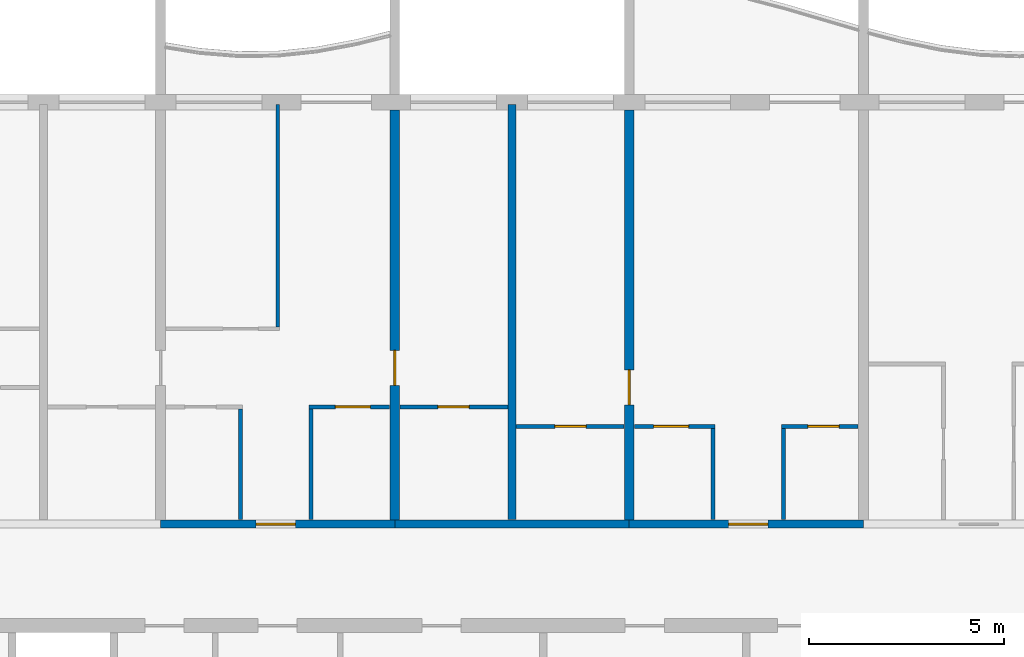
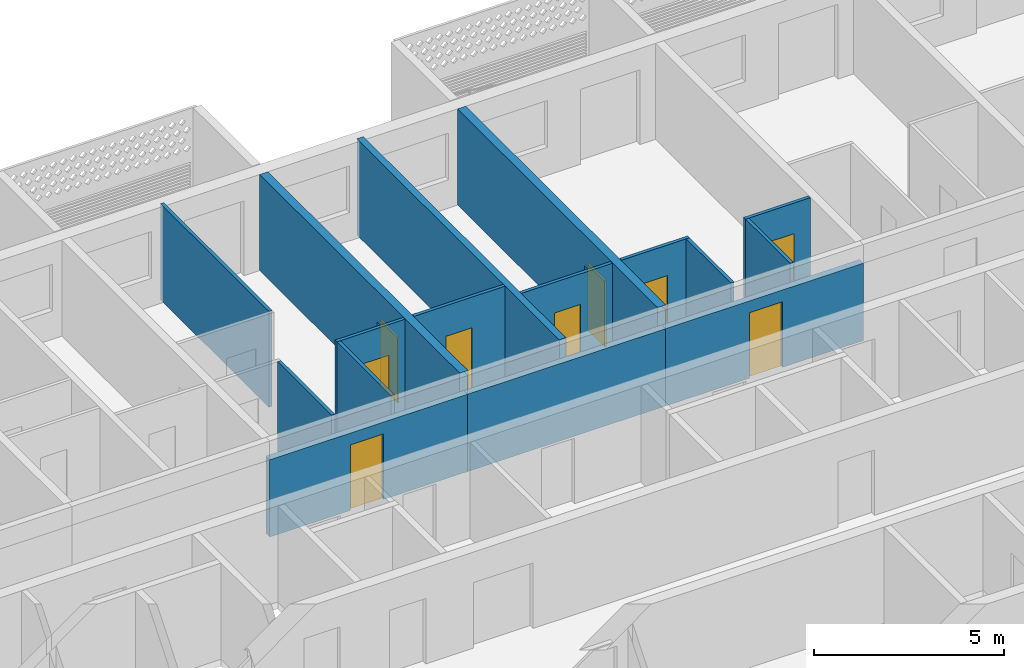
# One storey, part 9 of 26: 16 walls, 9 doors, 9 openings.
"""IFC4 building model written with IfcOpenShell, lengths in metres."""

from ifc_helpers import new_model, si_unit, direction, frame, frame_2d, origin, place, context, subcontext, project, spatial, rectangle, extrude, material, layer, layer_set, type_object, element, fill, save


model = new_model("IFC4")

# Units and contexts
model_context = context("Model", 3, precision=1e-05, world=origin(), true_north=direction((0.0, 1.0)))
body_context = subcontext(model_context, "Body", "Model", "MODEL_VIEW")
ifc_project = project(units=[si_unit("LENGTHUNIT", "METRE"), si_unit("AREAUNIT", "SQUARE_METRE"), si_unit("VOLUMEUNIT", "CUBIC_METRE"), si_unit("PLANEANGLEUNIT", "RADIAN"), si_unit("MASSUNIT", "GRAM", prefix="KILO")], contexts=[model_context])

# Site, building, storey
site_placement = place(None, origin())
site = spatial("IfcSite", under=ifc_project, at=site_placement, CompositionType="ELEMENT")
building_placement = place(site_placement, origin())
building = spatial("IfcBuilding", under=site, at=building_placement, Name="Poui Terraces", CompositionType="ELEMENT")
storey_placement = place(building_placement, frame((0.0, 0.0, 241.199951171875)))
storey = spatial("IfcBuildingStorey", under=building, at=storey_placement, Name="L67", CompositionType="ELEMENT", Elevation=241.199951171875)

# Wall, opening, door
ifc_material_1 = material(Name="Concrete 50 MPa", Category="concrete")
ifc_layer_1 = layer(ifc_material_1, 0.199951171875)
ifc_layer_set_1 = layer_set([ifc_layer_1], Name="Concrete 50 MPa")
wall_type_1 = type_object("IfcWallType", Name="CORRIDOR WALL 200 50MPa", PredefinedType="SHEAR", material=ifc_layer_set_1)
wall_1_placement = place(storey_placement, frame((48.0, 30.39990234375, 0.0), z_axis=(0.0, 0.0, 1.0), x_axis=(1.0, 0.0, 0.0)))
wall_1 = element("IfcWall", 1, at=wall_1_placement, inside=storey, type_object=wall_type_1, Name="CORRIDOR WALL LINE E BAY 6", PredefinedType="SHEAR", context=body_context, shape_type="SweptSolid", body=[
    extrude(rectangle(XDim=6.0, YDim=0.199951171875, at=frame_2d((3.0, 0.0))), origin(), (0.0, 0.0, 1.0), 2.47998046875),
])
opening_1_placement = place(wall_1_placement, frame((2.449951171875, 0.0, 0.0)))
opening_1 = element("IfcOpeningElement", 2, at=opening_1_placement, cuts=wall_1, Name="Opening FD30S", PredefinedType="OPENING", context=body_context, shape_type="SweptSolid", body=[
    extrude(rectangle(XDim=1.0, YDim=2.10009765625, at=frame_2d((0.5, 1.050048828125))), frame((0.0, 0.10986328125, 0.0), z_axis=(0.0, -1.0, 0.0), x_axis=(1.0, 0.0, 0.0)), (0.0, 0.0, 1.0), 0.219970703125),
])
ifc_material_2 = material(Name="Steel fire door", Category="steel")
door_type_1 = type_object("IfcDoorType", Name="FLAT ENTRANCE DOOR 1000 X 2100", OperationType="NOTDEFINED", PredefinedType="DOOR", material=ifc_material_2)
door_1_placement = place(opening_1_placement, origin())
door_1 = element("IfcDoor", 3, at=door_1_placement, inside=storey, type_object=door_type_1, Name="FLAT ENTRANCE DOOR 046", OperationType="SINGLE_SWING_LEFT", OverallHeight=2.10009765625, OverallWidth=1.0, PredefinedType="DOOR", context=body_context, shape_type="SweptSolid", body=[
    extrude(rectangle(XDim=1.0, YDim=2.10009765625, at=frame_2d((0.5, 1.050048828125))), frame((0.0, 0.02490234375, 0.0), z_axis=(0.0, -1.0, 0.0), x_axis=(1.0, 0.0, 0.0)), (0.0, 0.0, 1.0), 0.050048828125),
])
fill(opening_1, door_1)

# Wall
wall_2_placement = place(storey_placement, frame((54.0, 30.39990234375, 0.0), z_axis=(0.0, 0.0, 1.0), x_axis=(1.0, 0.0, 0.0)))
element("IfcWall", 4, at=wall_2_placement, inside=storey, type_object=wall_type_1, Name="CORRIDOR WALL LINE E BAY 7", PredefinedType="SHEAR", context=body_context, shape_type="SweptSolid", body=[
    extrude(rectangle(XDim=6.0, YDim=0.199951171875, at=frame_2d((3.0, 0.0))), origin(), (0.0, 0.0, 1.0), 2.47998046875),
])

# Wall, opening, door
wall_3_placement = place(storey_placement, frame((60.0, 30.39990234375, 0.0), z_axis=(0.0, 0.0, 1.0), x_axis=(1.0, 0.0, 0.0)))
wall_3 = element("IfcWall", 5, at=wall_3_placement, inside=storey, type_object=wall_type_1, Name="CORRIDOR WALL LINE E BAY 8", PredefinedType="SHEAR", context=body_context, shape_type="SweptSolid", body=[
    extrude(rectangle(XDim=6.0, YDim=0.199951171875, at=frame_2d((3.0, 0.0))), origin(), (0.0, 0.0, 1.0), 2.47998046875),
])
opening_2_placement = place(wall_3_placement, frame((2.550048828125, 0.0, 0.0)))
opening_2 = element("IfcOpeningElement", 6, at=opening_2_placement, cuts=wall_3, Name="Opening FD30S", PredefinedType="OPENING", context=body_context, shape_type="SweptSolid", body=[
    extrude(rectangle(XDim=1.0, YDim=2.10009765625, at=frame_2d((0.5, 1.050048828125))), frame((0.0, 0.10986328125, 0.0), z_axis=(0.0, -1.0, 0.0), x_axis=(1.0, 0.0, 0.0)), (0.0, 0.0, 1.0), 0.219970703125),
])
door_2_placement = place(opening_2_placement, origin())
door_2 = element("IfcDoor", 7, at=door_2_placement, inside=storey, type_object=door_type_1, Name="FLAT ENTRANCE DOOR 052", OperationType="SINGLE_SWING_RIGHT", OverallHeight=2.10009765625, OverallWidth=1.0, PredefinedType="DOOR", context=body_context, shape_type="SweptSolid", body=[
    extrude(rectangle(XDim=1.0, YDim=2.10009765625, at=frame_2d((0.5, 1.050048828125))), frame((0.0, 0.02490234375, 0.0), z_axis=(0.0, -1.0, 0.0), x_axis=(1.0, 0.0, 0.0)), (0.0, 0.0, 1.0), 0.050048828125),
])
fill(opening_2, door_2)

ifc_layer_2 = layer(ifc_material_1, 0.25)
ifc_layer_set_2 = layer_set([ifc_layer_2], Name="Concrete 50 MPa")
wall_type_2 = type_object("IfcWallType", Name="CROSS WALL 250 50MPa", PredefinedType="SHEAR", material=ifc_layer_set_2)
wall_4_placement = place(storey_placement, frame((54.0, 30.5, 0.0), z_axis=(0.0, 0.0, 1.0), x_axis=(0.0, 1.0, 0.0)))
wall_4 = element("IfcWall", 8, at=wall_4_placement, inside=storey, type_object=wall_type_2, Name="CROSS WALL LINE 10 NORTH", PredefinedType="SHEAR", context=body_context, shape_type="SweptSolid", body=[
    extrude(rectangle(XDim=10.5, YDim=0.25, at=frame_2d((5.25, 0.0))), origin(), (0.0, 0.0, 1.0), 3.080078125),
])
opening_3_placement = place(wall_4_placement, frame((3.449951171875, 0.0, 0.0)))
opening_3 = element("IfcOpeningElement", 9, at=opening_3_placement, cuts=wall_4, Name="Opening D90", PredefinedType="OPENING", context=body_context, shape_type="SweptSolid", body=[
    extrude(rectangle(XDim=0.89990234375, YDim=2.10009765625, at=frame_2d((0.449951171875, 1.050048828125))), frame((0.0, 0.135009765625, 0.0), z_axis=(0.0, -1.0, 0.0), x_axis=(1.0, 0.0, 0.0)), (0.0, 0.0, 1.0), 0.27001953125),
])
ifc_material_3 = material(Name="Solid core timber door", Category="wood")
door_type_2 = type_object("IfcDoorType", Name="INTERNAL DOOR 900 X 2100", OperationType="NOTDEFINED", PredefinedType="DOOR", material=ifc_material_3)
door_3_placement = place(opening_3_placement, frame((0.89990234375, 0.0, 0.0), z_axis=(0.0, 0.0, 1.0), x_axis=(-1.0, 0.0, 0.0)))
door_3 = element("IfcDoor", 10, at=door_3_placement, inside=storey, type_object=door_type_2, Name="INTERNAL DOOR 048", OperationType="SINGLE_SWING_RIGHT", OverallHeight=2.10009765625, OverallWidth=0.89990234375, PredefinedType="DOOR", context=body_context, shape_type="SweptSolid", body=[
    extrude(rectangle(XDim=0.89990234375, YDim=2.10009765625, at=frame_2d((0.449951171875, 1.050048828125))), frame((0.0, 0.02490234375, 0.0), z_axis=(0.0, -1.0, 0.0), x_axis=(1.0, 0.0, 0.0)), (0.0, 0.0, 1.0), 0.050048828125),
])
fill(opening_3, door_3)

wall_5_placement = place(storey_placement, frame((60.0, 30.5, 0.0), z_axis=(0.0, 0.0, 1.0), x_axis=(0.0, 1.0, 0.0)))
wall_5 = element("IfcWall", 11, at=wall_5_placement, inside=storey, type_object=wall_type_2, Name="CROSS WALL LINE 11 NORTH", PredefinedType="SHEAR", context=body_context, shape_type="SweptSolid", body=[
    extrude(rectangle(XDim=10.5, YDim=0.25, at=frame_2d((5.25, 0.0))), origin(), (0.0, 0.0, 1.0), 3.080078125),
])
opening_4_placement = place(wall_5_placement, frame((2.949951171875, 0.0, 0.0)))
opening_4 = element("IfcOpeningElement", 12, at=opening_4_placement, cuts=wall_5, Name="Opening D90", PredefinedType="OPENING", context=body_context, shape_type="SweptSolid", body=[
    extrude(rectangle(XDim=0.89990234375, YDim=2.10009765625, at=frame_2d((0.449951171875, 1.050048828125))), frame((0.0, 0.135009765625, 0.0), z_axis=(0.0, -1.0, 0.0), x_axis=(1.0, 0.0, 0.0)), (0.0, 0.0, 1.0), 0.27001953125),
])
door_4_placement = place(opening_4_placement, origin())
door_4 = element("IfcDoor", 13, at=door_4_placement, inside=storey, type_object=door_type_2, Name="INTERNAL DOOR 050", OperationType="SINGLE_SWING_LEFT", OverallHeight=2.10009765625, OverallWidth=0.89990234375, PredefinedType="DOOR", context=body_context, shape_type="SweptSolid", body=[
    extrude(rectangle(XDim=0.89990234375, YDim=2.10009765625, at=frame_2d((0.449951171875, 1.050048828125))), frame((0.0, 0.02490234375, 0.0), z_axis=(0.0, -1.0, 0.0), x_axis=(1.0, 0.0, 0.0)), (0.0, 0.0, 1.0), 0.050048828125),
])
fill(opening_4, door_4)

ifc_material_4 = material(Name="Plasterboard partition")
ifc_layer_3 = layer(ifc_material_4, 0.10009765625)
ifc_layer_set_3 = layer_set([ifc_layer_3], Name="Plasterboard partition")
wall_type_3 = type_object("IfcWallType", Name="FLAT PARTITION 100", PredefinedType="PARTITIONING", material=ifc_layer_set_3)
wall_6_placement = place(storey_placement, frame((57.10009765625, 32.89990234375, 0.0), z_axis=(0.0, 0.0, 1.0), x_axis=(1.0, 0.0, 0.0)))
wall_6 = element("IfcWall", 14, at=wall_6_placement, inside=storey, type_object=wall_type_3, Name="FLAT PARTITION 100", PredefinedType="PARTITIONING", context=body_context, shape_type="SweptSolid", body=[
    extrude(rectangle(XDim=2.764892578125, YDim=0.10009765625, at=frame_2d((1.38232421875, 0.0))), origin(), (0.0, 0.0, 1.0), 3.080078125),
])
opening_5_placement = place(wall_6_placement, frame((1.0, 0.0, 0.0)))
opening_5 = element("IfcOpeningElement", 15, at=opening_5_placement, cuts=wall_6, Name="Opening D80", PredefinedType="OPENING", context=body_context, shape_type="SweptSolid", body=[
    extrude(rectangle(XDim=0.800048828125, YDim=2.10009765625, at=frame_2d((0.39990234375, 1.050048828125))), frame((0.0, 0.06005859375, 0.0), z_axis=(0.0, -1.0, 0.0), x_axis=(1.0, 0.0, 0.0)), (0.0, 0.0, 1.0), 0.1201171875),
])
door_type_3 = type_object("IfcDoorType", Name="BATHROOM, LAUNDRY AND STORE DOOR 800 X 2100", OperationType="NOTDEFINED", PredefinedType="DOOR", material=ifc_material_3)
door_5_placement = place(opening_5_placement, frame((0.800048828125, 0.0, 0.0), z_axis=(0.0, 0.0, 1.0), x_axis=(-1.0, 0.0, 0.0)))
door_5 = element("IfcDoor", 16, at=door_5_placement, inside=storey, type_object=door_type_3, Name="BATHROOM, LAUNDRY AND STORE DOOR 049", OperationType="SINGLE_SWING_RIGHT", OverallHeight=2.10009765625, OverallWidth=0.800048828125, PredefinedType="DOOR", context=body_context, shape_type="SweptSolid", body=[
    extrude(rectangle(XDim=0.800048828125, YDim=2.10009765625, at=frame_2d((0.39990234375, 1.050048828125))), frame((0.0, 0.02490234375, 0.0), z_axis=(0.0, -1.0, 0.0), x_axis=(1.0, 0.0, 0.0)), (0.0, 0.0, 1.0), 0.050048828125),
])
fill(opening_5, door_5)

wall_7_placement = place(storey_placement, frame((60.135009765625, 32.89990234375, 0.0), z_axis=(0.0, 0.0, 1.0), x_axis=(1.0, 0.0, 0.0)))
wall_7 = element("IfcWall", 17, at=wall_7_placement, inside=storey, type_object=wall_type_3, Name="FLAT PARTITION 100", PredefinedType="PARTITIONING", context=body_context, shape_type="SweptSolid", body=[
    extrude(rectangle(XDim=2.06494140625, YDim=0.10009765625, at=frame_2d((1.032470703125, 0.0))), origin(), (0.0, 0.0, 1.0), 3.080078125),
])
opening_6_placement = place(wall_7_placement, frame((0.489990234375, 0.0, 0.0)))
opening_6 = element("IfcOpeningElement", 18, at=opening_6_placement, cuts=wall_7, Name="Opening D90", PredefinedType="OPENING", context=body_context, shape_type="SweptSolid", body=[
    extrude(rectangle(XDim=0.89990234375, YDim=2.10009765625, at=frame_2d((0.449951171875, 1.050048828125))), frame((0.0, 0.06005859375, 0.0), z_axis=(0.0, -1.0, 0.0), x_axis=(1.0, 0.0, 0.0)), (0.0, 0.0, 1.0), 0.1201171875),
])
door_6_placement = place(opening_6_placement, frame((0.89990234375, 0.0, 0.0), z_axis=(0.0, 0.0, 1.0), x_axis=(-1.0, 0.0, 0.0)))
door_6 = element("IfcDoor", 19, at=door_6_placement, inside=storey, type_object=door_type_2, Name="INTERNAL DOOR 051", OperationType="SINGLE_SWING_LEFT", OverallHeight=2.10009765625, OverallWidth=0.89990234375, PredefinedType="DOOR", context=body_context, shape_type="SweptSolid", body=[
    extrude(rectangle(XDim=0.89990234375, YDim=2.10009765625, at=frame_2d((0.449951171875, 1.050048828125))), frame((0.0, 0.02490234375, 0.0), z_axis=(0.0, -1.0, 0.0), x_axis=(1.0, 0.0, 0.0)), (0.0, 0.0, 1.0), 0.050048828125),
])
fill(opening_6, door_6)

wall_8_placement = place(storey_placement, frame((63.89990234375, 32.89990234375, 0.0), z_axis=(0.0, 0.0, 1.0), x_axis=(1.0, 0.0, 0.0)))
wall_8 = element("IfcWall", 20, at=wall_8_placement, inside=storey, type_object=wall_type_3, Name="FLAT PARTITION 100", PredefinedType="PARTITIONING", context=body_context, shape_type="SweptSolid", body=[
    extrude(rectangle(XDim=1.965087890625, YDim=0.10009765625, at=frame_2d((0.982421875, 0.0))), origin(), (0.0, 0.0, 1.0), 3.080078125),
])
opening_7_placement = place(wall_8_placement, frame((0.675048828125, 0.0, 0.0)))
opening_7 = element("IfcOpeningElement", 21, at=opening_7_placement, cuts=wall_8, Name="Opening D80", PredefinedType="OPENING", context=body_context, shape_type="SweptSolid", body=[
    extrude(rectangle(XDim=0.800048828125, YDim=2.10009765625, at=frame_2d((0.39990234375, 1.050048828125))), frame((0.0, 0.06005859375, 0.0), z_axis=(0.0, -1.0, 0.0), x_axis=(1.0, 0.0, 0.0)), (0.0, 0.0, 1.0), 0.1201171875),
])
door_7_placement = place(opening_7_placement, frame((0.800048828125, 0.0, 0.0), z_axis=(0.0, 0.0, 1.0), x_axis=(-1.0, 0.0, 0.0)))
door_7 = element("IfcDoor", 22, at=door_7_placement, inside=storey, type_object=door_type_3, Name="BATHROOM, LAUNDRY AND STORE DOOR 053", OperationType="SINGLE_SWING_RIGHT", OverallHeight=2.10009765625, OverallWidth=0.800048828125, PredefinedType="DOOR", context=body_context, shape_type="SweptSolid", body=[
    extrude(rectangle(XDim=0.800048828125, YDim=2.10009765625, at=frame_2d((0.39990234375, 1.050048828125))), frame((0.0, 0.02490234375, 0.0), z_axis=(0.0, -1.0, 0.0), x_axis=(1.0, 0.0, 0.0)), (0.0, 0.0, 1.0), 0.050048828125),
])
fill(opening_7, door_7)

wall_9_placement = place(storey_placement, frame((51.800048828125, 33.39990234375, 0.0), z_axis=(0.0, 0.0, 1.0), x_axis=(1.0, 0.0, 0.0)))
wall_9 = element("IfcWall", 23, at=wall_9_placement, inside=storey, type_object=wall_type_3, Name="FLAT PARTITION 100", PredefinedType="PARTITIONING", context=body_context, shape_type="SweptSolid", body=[
    extrude(rectangle(XDim=2.06494140625, YDim=0.10009765625, at=frame_2d((1.032470703125, 0.0))), origin(), (0.0, 0.0, 1.0), 3.080078125),
])
opening_8_placement = place(wall_9_placement, frame((0.675048828125, 0.0, 0.0)))
opening_8 = element("IfcOpeningElement", 24, at=opening_8_placement, cuts=wall_9, Name="Opening D90", PredefinedType="OPENING", context=body_context, shape_type="SweptSolid", body=[
    extrude(rectangle(XDim=0.89990234375, YDim=2.10009765625, at=frame_2d((0.449951171875, 1.050048828125))), frame((0.0, 0.06005859375, 0.0), z_axis=(0.0, -1.0, 0.0), x_axis=(1.0, 0.0, 0.0)), (0.0, 0.0, 1.0), 0.1201171875),
])
door_8_placement = place(opening_8_placement, frame((0.89990234375, 0.0, 0.0), z_axis=(0.0, 0.0, 1.0), x_axis=(-1.0, 0.0, 0.0)))
door_8 = element("IfcDoor", 25, at=door_8_placement, inside=storey, type_object=door_type_2, Name="INTERNAL DOOR 047", OperationType="SINGLE_SWING_RIGHT", OverallHeight=2.10009765625, OverallWidth=0.89990234375, PredefinedType="DOOR", context=body_context, shape_type="SweptSolid", body=[
    extrude(rectangle(XDim=0.89990234375, YDim=2.10009765625, at=frame_2d((0.449951171875, 1.050048828125))), frame((0.0, 0.02490234375, 0.0), z_axis=(0.0, -1.0, 0.0), x_axis=(1.0, 0.0, 0.0)), (0.0, 0.0, 1.0), 0.050048828125),
])
fill(opening_8, door_8)

wall_10_placement = place(storey_placement, frame((54.135009765625, 33.39990234375, 0.0), z_axis=(0.0, 0.0, 1.0), x_axis=(1.0, 0.0, 0.0)))
wall_10 = element("IfcWall", 26, at=wall_10_placement, inside=storey, type_object=wall_type_3, Name="FLAT PARTITION 100", PredefinedType="PARTITIONING", context=body_context, shape_type="SweptSolid", body=[
    extrude(rectangle(XDim=2.764892578125, YDim=0.10009765625, at=frame_2d((1.38232421875, 0.0))), origin(), (0.0, 0.0, 1.0), 3.080078125),
])
opening_9_placement = place(wall_10_placement, frame((0.965087890625, 0.0, 0.0)))
opening_9 = element("IfcOpeningElement", 27, at=opening_9_placement, cuts=wall_10, Name="Opening D80", PredefinedType="OPENING", context=body_context, shape_type="SweptSolid", body=[
    extrude(rectangle(XDim=0.800048828125, YDim=2.10009765625, at=frame_2d((0.39990234375, 1.050048828125))), frame((0.0, 0.06005859375, 0.0), z_axis=(0.0, -1.0, 0.0), x_axis=(1.0, 0.0, 0.0)), (0.0, 0.0, 1.0), 0.1201171875),
])
door_9_placement = place(opening_9_placement, frame((0.800048828125, 0.0, 0.0), z_axis=(0.0, 0.0, 1.0), x_axis=(-1.0, 0.0, 0.0)))
door_9 = element("IfcDoor", 28, at=door_9_placement, inside=storey, type_object=door_type_3, Name="BATHROOM, LAUNDRY AND STORE DOOR 042", OperationType="SINGLE_SWING_LEFT", OverallHeight=2.10009765625, OverallWidth=0.800048828125, PredefinedType="DOOR", context=body_context, shape_type="SweptSolid", body=[
    extrude(rectangle(XDim=0.800048828125, YDim=2.10009765625, at=frame_2d((0.39990234375, 1.050048828125))), frame((0.0, 0.02490234375, 0.0), z_axis=(0.0, -1.0, 0.0), x_axis=(1.0, 0.0, 0.0)), (0.0, 0.0, 1.0), 0.050048828125),
])
fill(opening_9, door_9)

# Walls
wall_11_placement = place(storey_placement, frame((50.050048828125, 30.510009765625, 0.0), z_axis=(0.0, 0.0, 1.0), x_axis=(0.0, 1.0, 0.0)))
element("IfcWall", 29, at=wall_11_placement, inside=storey, type_object=wall_type_3, Name="FLAT PARTITION 100", PredefinedType="PARTITIONING", context=body_context, shape_type="SweptSolid", body=[
    extrude(rectangle(XDim=2.840087890625, YDim=0.10009765625, at=frame_2d((1.419921875, 0.0))), origin(), (0.0, 0.0, 1.0), 3.080078125),
])
wall_12_placement = place(storey_placement, frame((51.0, 35.449951171875, 0.0), z_axis=(0.0, 0.0, 1.0), x_axis=(0.0, 1.0, 0.0)))
element("IfcWall", 30, at=wall_12_placement, inside=storey, type_object=wall_type_3, Name="FLAT PARTITION 100", PredefinedType="PARTITIONING", context=body_context, shape_type="SweptSolid", body=[
    extrude(rectangle(XDim=5.68994140625, YDim=0.10009765625, at=frame_2d((2.844970703125, 0.0))), origin(), (0.0, 0.0, 1.0), 3.080078125),
])
wall_13_placement = place(storey_placement, frame((51.85009765625, 30.510009765625, 0.0), z_axis=(0.0, 0.0, 1.0), x_axis=(0.0, 1.0, 0.0)))
element("IfcWall", 31, at=wall_13_placement, inside=storey, type_object=wall_type_3, Name="FLAT PARTITION 100", PredefinedType="PARTITIONING", context=body_context, shape_type="SweptSolid", body=[
    extrude(rectangle(XDim=2.840087890625, YDim=0.10009765625, at=frame_2d((1.419921875, 0.0))), origin(), (0.0, 0.0, 1.0), 3.080078125),
])
for number, where, z_axis, x_axis, name in (
    (32, (62.14990234375, 30.510009765625, 0.0), (0.0, 0.0, 1.0), (0.0, 1.0, 0.0), "FLAT PARTITION 100"),
    (33, (63.949951171875, 30.510009765625, 0.0), (0.0, 0.0, 1.0), (0.0, 1.0, 0.0), "FLAT PARTITION 100"),
):
    element("IfcWall", number, at=place(storey_placement, frame(where, z_axis=z_axis, x_axis=x_axis)), inside=storey, type_object=wall_type_3, Name=name, PredefinedType="PARTITIONING", context=body_context, shape_type="SweptSolid", body=[
        extrude(rectangle(XDim=2.340087890625, YDim=0.10009765625, at=frame_2d((1.169921875, 0.0))), origin(), (0.0, 0.0, 1.0), 3.080078125),
    ])
ifc_material_5 = material(Name="Fire-rated masonry wall", Category="masonry")
ifc_layer_4 = layer(ifc_material_5, 0.199951171875)
ifc_layer_set_4 = layer_set([ifc_layer_4], Name="Fire-rated masonry wall")
wall_type_4 = type_object("IfcWallType", Name="FLAT PARTY WALL 200", PredefinedType="PARTITIONING", material=ifc_layer_set_4)
wall_14_placement = place(storey_placement, frame((57.0, 30.510009765625, 0.0), z_axis=(0.0, 0.0, 1.0), x_axis=(0.0, 1.0, 0.0)))
element("IfcWall", 34, at=wall_14_placement, inside=storey, type_object=wall_type_4, Name="FLAT PARTY WALL 200", PredefinedType="PARTITIONING", context=body_context, shape_type="SweptSolid", body=[
    extrude(rectangle(XDim=10.6298828125, YDim=0.199951171875, at=frame_2d((5.31494140625, 0.0))), origin(), (0.0, 0.0, 1.0), 3.080078125),
])

save(model, "model.ifc")
